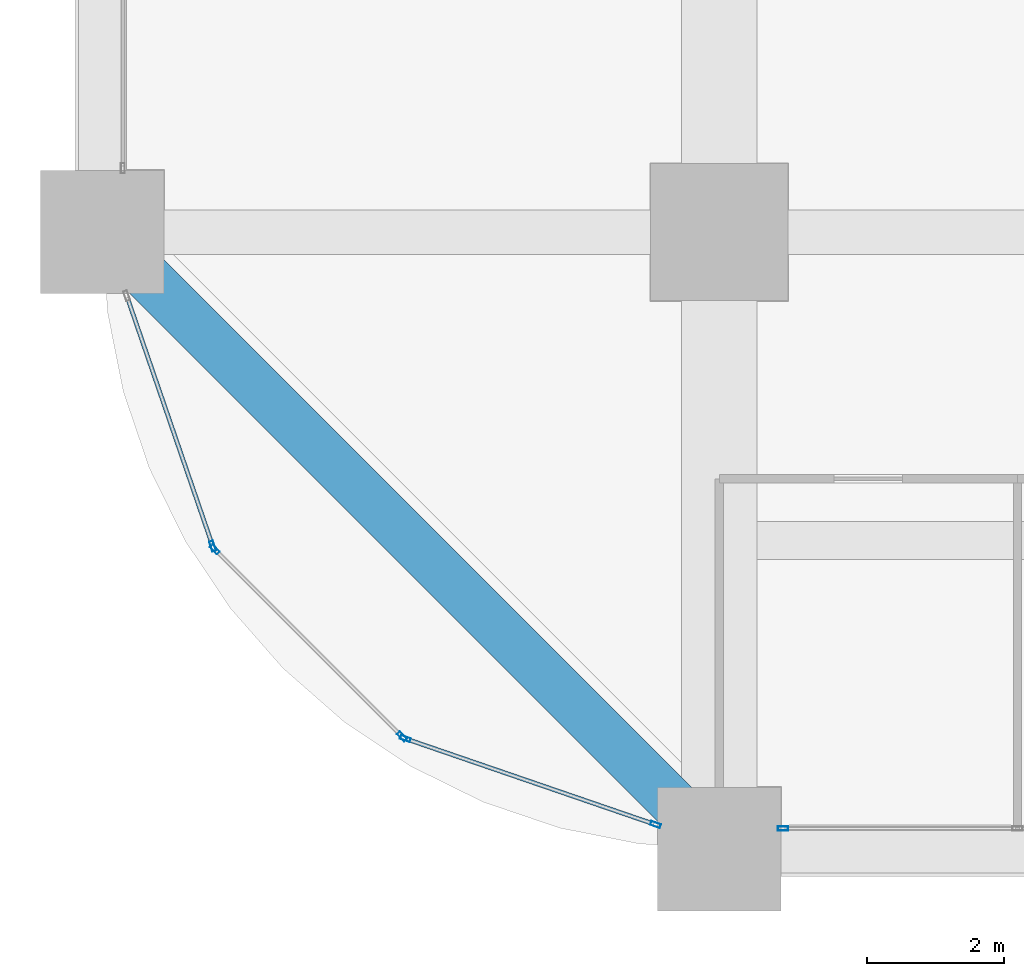
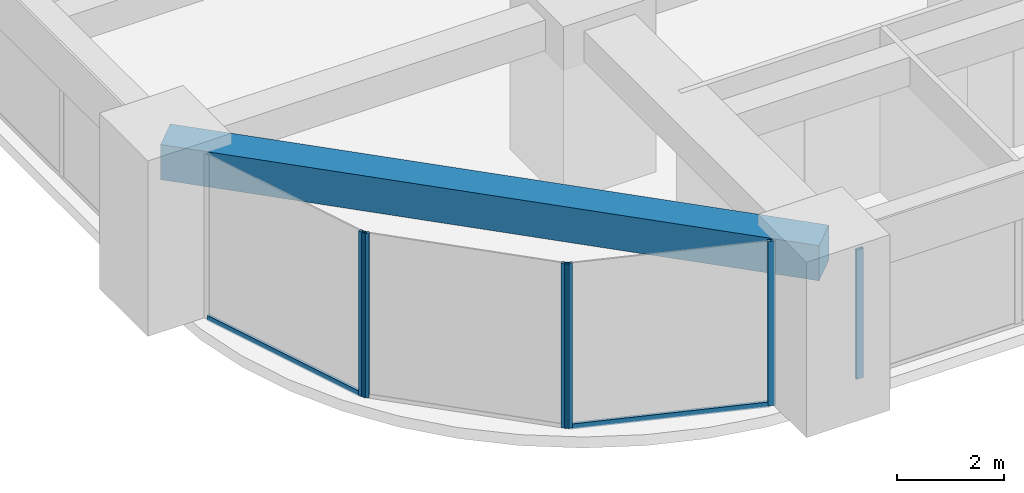
# One storey, part 2 of 41: 8 members, 1 beam, 4 elements without a shape of their own.
"""IFC4 building model written with IfcOpenShell, lengths in metres."""

from ifc_helpers import new_model, si_unit, direction, frame, origin, origin_2d, place, context, subcontext, project, spatial, rectangle, hollow_rectangle, extrude, material, material_profile, profile_set, type_object, element, aggregate, save


model = new_model("IFC4")

# Units and contexts
model_context = context("Model", 3, precision=1e-05, world=origin(), true_north=direction((0.0, 1.0)))
body_context = subcontext(model_context, "Body", "Model", "MODEL_VIEW")
ifc_project = project(units=[si_unit("LENGTHUNIT", "METRE"), si_unit("AREAUNIT", "SQUARE_METRE"), si_unit("VOLUMEUNIT", "CUBIC_METRE"), si_unit("PLANEANGLEUNIT", "RADIAN"), si_unit("MASSUNIT", "GRAM", prefix="KILO")], contexts=[model_context])

# Site, building, storey
site_placement = place(None, origin())
site = spatial("IfcSite", under=ifc_project, at=site_placement, CompositionType="ELEMENT")
building_placement = place(site_placement, origin())
building = spatial("IfcBuilding", under=site, at=building_placement, Name="Zorevar Civic Tower", CompositionType="ELEMENT")
storey_placement = place(building_placement, frame((0.0, 0.0, 97.0)))
storey = spatial("IfcBuildingStorey", under=building, at=storey_placement, Name="L23", CompositionType="ELEMENT", Elevation=97.0)

# Curtain wall, member
ifc_material_1 = material(Name="Dark grey solar-control glass in black aluminium frame", Category="aluminium")
curtain_wall_type = type_object("IfcCurtainWallType", Name="Curtain wall CW3 mid zone", PredefinedType="NOTDEFINED", material=ifc_material_1)
curtain_wall_1_placement = place(storey_placement, origin())
curtain_wall_1 = element("IfcCurtainWall", 1, at=curtain_wall_1_placement, inside=storey, type_object=curtain_wall_type, Name="CW3 L23", PredefinedType="NOTDEFINED")
ifc_material_2 = material(Name="Aluminium, black anodised", Category="aluminium")
ifc_material_profile_1 = material_profile(ifc_material_2, hollow_rectangle(XDim=0.06005859375, YDim=0.14990234375, WallThickness=0.00390625, at=origin_2d()), Name="AL 150x60x4")
ifc_profile_set_1 = profile_set([ifc_material_profile_1], Name="Aluminium, black anodised")
member_type_1 = type_object("IfcMemberType", Name="CW3 mullion AL 150x60x4", PredefinedType="MULLION", material=ifc_profile_set_1)
member_1_placement = place(storey_placement, frame((9.929931640625, 0.300048828125, 0.0), z_axis=(0.0, 0.0, 1.0), x_axis=(0.0, 1.0, 0.0)))
member_1 = element("IfcMember", 2, at=member_1_placement, type_object=member_type_1, Name="CW3 mullion 1", PredefinedType="MULLION", context=body_context, shape_type="SweptSolid", body=[
    extrude(hollow_rectangle(XDim=0.06005859375, YDim=0.14990234375, WallThickness=0.00390625, at=origin_2d()), origin(), (0.0, 0.0, 1.0), 2.949951171875),
])
aggregate(curtain_wall_1, [member_1])

curtain_wall_2_placement = place(storey_placement, origin())
curtain_wall_2 = element("IfcCurtainWall", 3, at=curtain_wall_2_placement, inside=storey, type_object=curtain_wall_type, Name="CW3 L23", PredefinedType="NOTDEFINED")
member_2_placement = place(storey_placement, frame((1.610595703125, 4.420654296875, 0.0), z_axis=(0.0, 0.0, 1.0), x_axis=(0.945755772794, 0.324878466857, 0.0)))
member_2 = element("IfcMember", 4, at=member_2_placement, type_object=member_type_1, Name="CW3 mullion 2", PredefinedType="MULLION", context=body_context, shape_type="SweptSolid", body=[
    extrude(hollow_rectangle(XDim=0.06005859375, YDim=0.14990234375, WallThickness=0.00390625, at=origin_2d()), origin(), (0.0, 0.0, 1.0), 3.75),
])

# Curtain wall, members
curtain_wall_3_placement = place(storey_placement, origin())
curtain_wall_3 = element("IfcCurtainWall", 5, at=curtain_wall_3_placement, inside=storey, type_object=curtain_wall_type, Name="CW3 L23", PredefinedType="NOTDEFINED")
member_3_placement = place(storey_placement, frame((1.6416015625, 4.37109375, 0.0), z_axis=(0.0, 0.0, 1.0), x_axis=(0.707106781187, 0.707106781187, 0.0)))
member_3 = element("IfcMember", 6, at=member_3_placement, type_object=member_type_1, Name="CW3 mullion 1", PredefinedType="MULLION", context=body_context, shape_type="SweptSolid", body=[
    extrude(hollow_rectangle(XDim=0.06005859375, YDim=0.14990234375, WallThickness=0.00390625, at=origin_2d()), origin(), (0.0, 0.0, 1.0), 3.75),
])
member_4_placement = place(storey_placement, frame((4.37109375, 1.6416015625, 0.0), z_axis=(0.0, 0.0, 1.0), x_axis=(0.707106781187, 0.707106781187, 0.0)))
member_4 = element("IfcMember", 7, at=member_4_placement, type_object=member_type_1, Name="CW3 mullion 2", PredefinedType="MULLION", context=body_context, shape_type="SweptSolid", body=[
    extrude(hollow_rectangle(XDim=0.06005859375, YDim=0.14990234375, WallThickness=0.00390625, at=origin_2d()), origin(), (0.0, 0.0, 1.0), 3.75),
])
aggregate(curtain_wall_3, [member_3, member_4])

curtain_wall_4_placement = place(storey_placement, origin())
curtain_wall_4 = element("IfcCurtainWall", 8, at=curtain_wall_4_placement, inside=storey, type_object=curtain_wall_type, Name="CW3 L23", PredefinedType="NOTDEFINED")
member_5_placement = place(storey_placement, frame((4.420654296875, 1.610595703125, 0.0), z_axis=(0.0, 0.0, 1.0), x_axis=(0.324878466857, 0.945755772794, 0.0)))
member_5 = element("IfcMember", 9, at=member_5_placement, type_object=member_type_1, Name="CW3 mullion 1", PredefinedType="MULLION", context=body_context, shape_type="SweptSolid", body=[
    extrude(hollow_rectangle(XDim=0.06005859375, YDim=0.14990234375, WallThickness=0.00390625, at=origin_2d()), origin(), (0.0, 0.0, 1.0), 3.75),
])
member_6_placement = place(storey_placement, frame((8.071533203125, 0.3564453125, 0.0), z_axis=(0.0, 0.0, 1.0), x_axis=(0.324878466857, 0.945755772794, 0.0)))
member_6 = element("IfcMember", 10, at=member_6_placement, type_object=member_type_1, Name="CW3 mullion 2", PredefinedType="MULLION", context=body_context, shape_type="SweptSolid", body=[
    extrude(hollow_rectangle(XDim=0.06005859375, YDim=0.14990234375, WallThickness=0.00390625, at=origin_2d()), origin(), (0.0, 0.0, 1.0), 3.75),
])

# Member
ifc_material_3 = material(Name="Aluminium, black anodised", Category="aluminium")
ifc_material_profile_2 = material_profile(ifc_material_3, hollow_rectangle(XDim=0.06005859375, YDim=0.1201171875, WallThickness=0.0029296875, at=origin_2d()), Name="AL 120x60x3")
ifc_profile_set_2 = profile_set([ifc_material_profile_2], Name="Aluminium, black anodised")
member_type_2 = type_object("IfcMemberType", Name="CW3 transom AL 120x60x3", PredefinedType="USERDEFINED", material=ifc_profile_set_2)
member_7_placement = place(storey_placement, frame((0.3662109375, 8.043212890625, 0.030029296875), z_axis=(0.324887643602, -0.945752620422, 0.0), x_axis=(0.945752620422, 0.324887643602, 0.0)))
member_7 = element("IfcMember", 11, at=member_7_placement, type_object=member_type_2, Name="CW3 sill transom", ObjectType="TRANSOM", PredefinedType="USERDEFINED", context=body_context, shape_type="SweptSolid", body=[
    extrude(hollow_rectangle(XDim=0.06005859375, YDim=0.1201171875, WallThickness=0.0029296875, at=origin_2d()), origin(), (0.0, 0.0, 1.0), 3.800048828125),
])

aggregate(curtain_wall_2, [member_2, member_7])

member_8_placement = place(storey_placement, frame((4.44921875, 1.600830078125, 0.030029296875), z_axis=(0.945752620422, -0.324887643602, 0.0), x_axis=(0.324887643602, 0.945752620422, 0.0)))
member_8 = element("IfcMember", 12, at=member_8_placement, type_object=member_type_2, Name="CW3 sill transom", ObjectType="TRANSOM", PredefinedType="USERDEFINED", context=body_context, shape_type="SweptSolid", body=[
    extrude(hollow_rectangle(XDim=0.06005859375, YDim=0.1201171875, WallThickness=0.0029296875, at=origin_2d()), origin(), (0.0, 0.0, 1.0), 3.800048828125),
])

aggregate(curtain_wall_4, [member_5, member_6, member_8])

# Beam
ifc_material_4 = material(Name="Concrete C50/60", Category="concrete")
ifc_material_profile_3 = material_profile(ifc_material_4, rectangle(XDim=0.699951171875, YDim=0.800048828125, at=origin_2d()), Name="RC 700x800")
ifc_profile_set_3 = profile_set([ifc_material_profile_3], Name="Concrete C50/60")
beam_type = type_object("IfcBeamType", Name="Edge beam RC 700x800", PredefinedType="SPANDREL", material=ifc_profile_set_3)
beam_placement = place(storey_placement, frame((0.0, 9.0, 3.35009765625), z_axis=(0.707106781187, -0.707106781187, 0.0), x_axis=(0.707106781187, 0.707106781187, 0.0)))
element("IfcBeam", 13, at=beam_placement, inside=storey, type_object=beam_type, Name="Corner edge beam L24", PredefinedType="SPANDREL", context=body_context, shape_type="SweptSolid", body=[
    extrude(rectangle(XDim=0.699951171875, YDim=0.800048828125, at=origin_2d()), origin(), (0.0, 0.0, 1.0), 12.72802734375),
])

save(model, "model.ifc")
